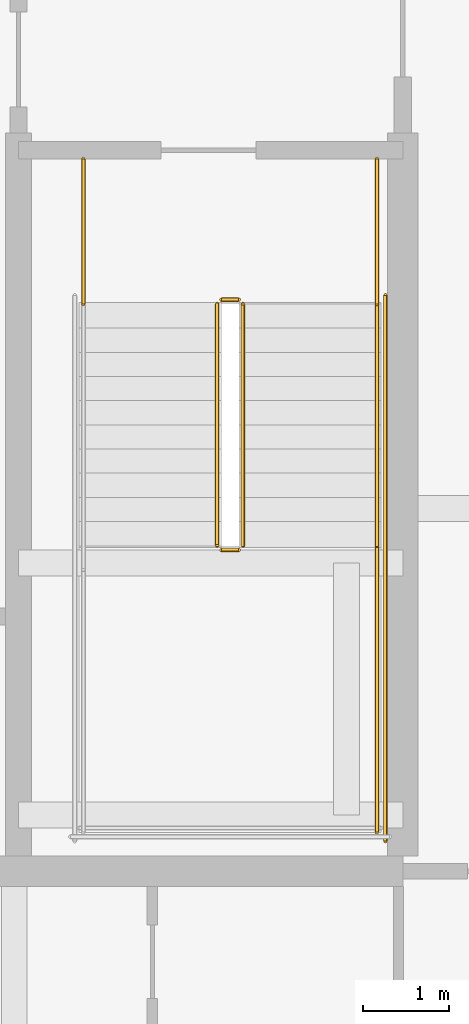
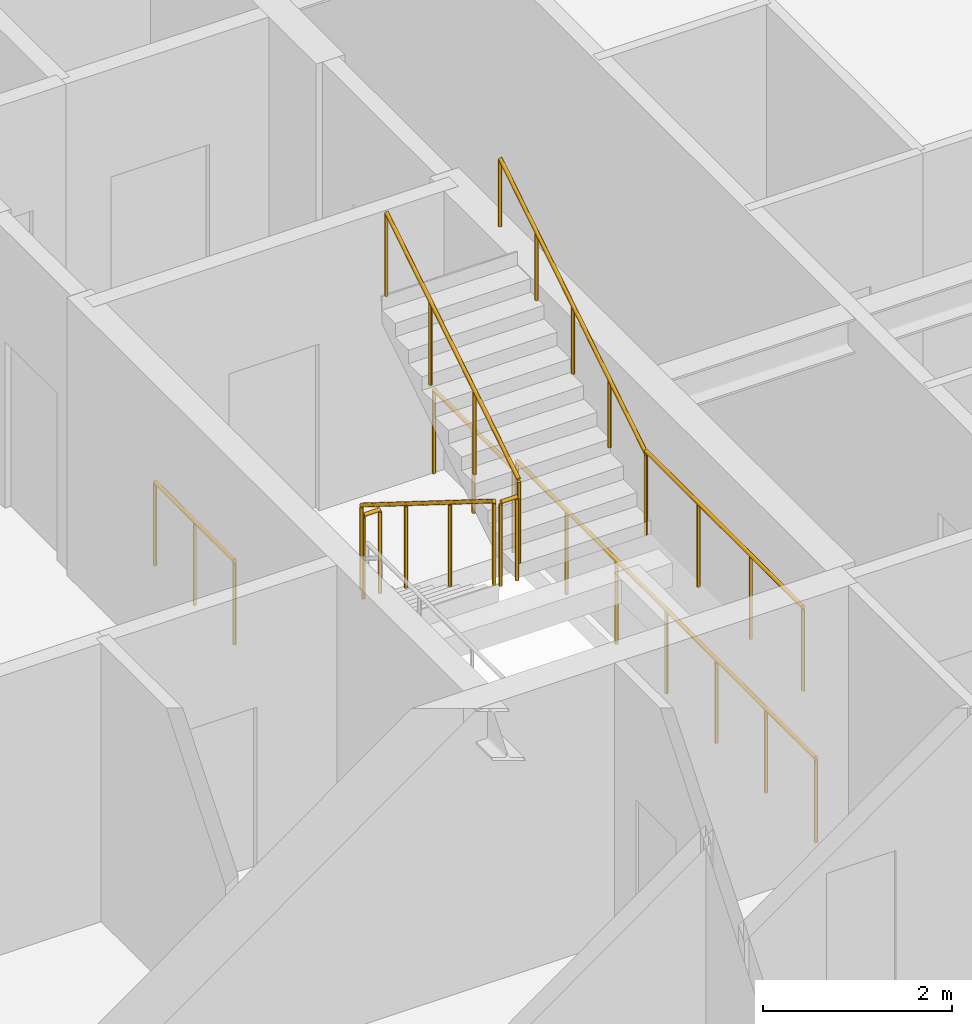
# One storey, part 34 of 35: 9 railings.
"""IFC4 building model written with IfcOpenShell, lengths in metres."""

from ifc_helpers import new_model, si_unit, direction, frame, origin, origin_2d, place, context, subcontext, project, spatial, circle, extrude, material, type_object, element, save


model = new_model("IFC4")

# Units and contexts
model_context = context("Model", 3, precision=1e-05, world=origin(), true_north=direction((0.0, 1.0)))
body_context = subcontext(model_context, "Body", "Model", "MODEL_VIEW")
ifc_project = project(units=[si_unit("LENGTHUNIT", "METRE"), si_unit("AREAUNIT", "SQUARE_METRE"), si_unit("VOLUMEUNIT", "CUBIC_METRE"), si_unit("PLANEANGLEUNIT", "RADIAN"), si_unit("MASSUNIT", "GRAM", prefix="KILO")], contexts=[model_context])

# Site, building, storey
site_placement = place(None, origin())
site = spatial("IfcSite", under=ifc_project, at=site_placement, CompositionType="ELEMENT")
building_placement = place(site_placement, origin())
building = spatial("IfcBuilding", under=site, at=building_placement, Name="Serunith Strait Residences", CompositionType="ELEMENT")
storey_placement = place(building_placement, frame((0.0, 0.0, 214.300048828125)))
storey = spatial("IfcBuildingStorey", under=building, at=storey_placement, Name="L53", CompositionType="ELEMENT", Elevation=214.300048828125)

# Railings
ifc_material = material(Name="Brushed stainless steel 316L", Category="steel")
railing_type_1 = type_object("IfcRailingType", Name="RLG-STAIR-GUARD", PredefinedType="BALUSTRADE", material=ifc_material)
railing_1_placement = place(storey_placement, frame((39.25, 23.3701171875, 0.175048828125)))
element("IfcRailing", 1, at=railing_1_placement, inside=storey, type_object=railing_type_1, Name="L53 ST-2 stair guard 1", PredefinedType="BALUSTRADE", context=body_context, shape_type="SweptSolid", body=[
    extrude(circle(Radius=0.02392578125, at=origin_2d()), frame((0.0, -0.001708984375, 1.0771484375), z_axis=(0.0, -0.848002457836, 0.529992293815), x_axis=(1.0, 0.0, 0.0)), (0.0, 0.0, 1.0), 3.2978515625),
    extrude(circle(Radius=0.02099609375, at=origin_2d()), origin(), (0.0, 0.0, 1.0), 1.050048828125),
    extrude(circle(Radius=0.02099609375, at=origin_2d()), frame((0.0, -0.933349609375, 0.583251953125)), (0.0, 0.0, 1.0), 1.050048828125),
    extrude(circle(Radius=0.02099609375, at=origin_2d()), frame((0.0, -1.86669921875, 1.166748046875)), (0.0, 0.0, 1.0), 1.050048828125),
    extrude(circle(Radius=0.02099609375, at=origin_2d()), frame((0.0, -2.800048828125, 1.75)), (0.0, 0.0, 1.0), 1.050048828125),
])
railing_2_placement = place(storey_placement, frame((39.300048828125, 20.52001953125, 1.925048828125)))
element("IfcRailing", 2, at=railing_2_placement, inside=storey, type_object=railing_type_1, Name="L53 ST-2 stair guard 2", PredefinedType="BALUSTRADE", context=body_context, shape_type="SweptSolid", body=[
    extrude(circle(Radius=0.02392578125, at=origin_2d()), frame((0.001953125, 0.0, 1.076171875), z_axis=(1.0, 0.0, 0.0), x_axis=(0.0, 1.0, 0.0)), (0.0, 0.0, 1.0), 0.196044921875),
    extrude(circle(Radius=0.02099609375, at=origin_2d()), origin(), (0.0, 0.0, 1.0), 1.050048828125),
    extrude(circle(Radius=0.02099609375, at=origin_2d()), frame((0.199951171875, 0.0, 0.0)), (0.0, 0.0, 1.0), 1.050048828125),
])
railing_3_placement = place(storey_placement, frame((41.10009765625, 20.570068359375, 1.925048828125)))
element("IfcRailing", 3, at=railing_3_placement, inside=storey, type_object=railing_type_1, Name="L53 ST-2 stair guard 4", PredefinedType="BALUSTRADE", context=body_context, shape_type="SweptSolid", body=[
    extrude(circle(Radius=0.02392578125, at=origin_2d()), frame((0.0, -0.001953125, 1.076171875), z_axis=(0.0, -1.0, 0.0), x_axis=(1.0, 0.0, 0.0)), (0.0, 0.0, 1.0), 3.316162109375),
    extrude(circle(Radius=0.02099609375, at=origin_2d()), origin(), (0.0, 0.0, 1.0), 1.050048828125),
    extrude(circle(Radius=0.02099609375, at=origin_2d()), frame((0.0, -1.106689453125, 0.0)), (0.0, 0.0, 1.0), 1.050048828125),
    extrude(circle(Radius=0.02099609375, at=origin_2d()), frame((0.0, -2.21337890625, 0.0)), (0.0, 0.0, 1.0), 1.050048828125),
    extrude(circle(Radius=0.02099609375, at=origin_2d()), frame((0.0, -3.320068359375, 0.0)), (0.0, 0.0, 1.0), 1.050048828125),
])
railing_4_placement = place(storey_placement, frame((39.550048828125, 20.570068359375, 2.099853515625)))
element("IfcRailing", 4, at=railing_4_placement, inside=storey, type_object=railing_type_1, Name="L53 ST-2 stair guard 6", PredefinedType="BALUSTRADE", context=body_context, shape_type="SweptSolid", body=[
    extrude(circle(Radius=0.02392578125, at=origin_2d()), frame((0.0, 0.001708984375, 1.0771484375), z_axis=(0.0, 0.848002457836, 0.529992293815), x_axis=(-1.0, 0.0, 0.0)), (0.0, 0.0, 1.0), 3.2978515625),
    extrude(circle(Radius=0.02099609375, at=origin_2d()), origin(), (0.0, 0.0, 1.0), 1.050048828125),
    extrude(circle(Radius=0.02099609375, at=origin_2d()), frame((0.0, 0.933349609375, 0.583251953125)), (0.0, 0.0, 1.0), 1.050048828125),
    extrude(circle(Radius=0.02099609375, at=origin_2d()), frame((0.0, 1.86669921875, 1.166748046875)), (0.0, 0.0, 1.0), 1.050048828125),
    extrude(circle(Radius=0.02099609375, at=origin_2d()), frame((0.0, 2.800048828125, 1.75)), (0.0, 0.0, 1.0), 1.050048828125),
])
railing_5_placement = place(storey_placement, frame((39.300048828125, 23.419921875, 0.0)))
element("IfcRailing", 5, at=railing_5_placement, inside=storey, type_object=railing_type_1, Name="L53 ST-2 stair guard 7", PredefinedType="BALUSTRADE", context=body_context, shape_type="SweptSolid", body=[
    extrude(circle(Radius=0.02392578125, at=origin_2d()), frame((0.001953125, 0.0, 1.076171875), z_axis=(1.0, 0.0, 0.0), x_axis=(0.0, 1.0, 0.0)), (0.0, 0.0, 1.0), 0.196044921875),
    extrude(circle(Radius=0.02099609375, at=origin_2d()), origin(), (0.0, 0.0, 1.0), 1.050048828125),
    extrude(circle(Radius=0.02099609375, at=origin_2d()), frame((0.199951171875, 0.0, 0.0)), (0.0, 0.0, 1.0), 1.050048828125),
])
for number, where, name in (
    (6, (37.699951171875, 25.050048828125, 0.0), "L53 ST-2 stair guard 8"),
    (7, (41.10009765625, 25.050048828125, 0.0), "L53 ST-2 stair guard 9"),
):
    element("IfcRailing", number, at=place(storey_placement, frame(where)), inside=storey, type_object=railing_type_1, Name=name, PredefinedType="BALUSTRADE", context=body_context, shape_type="SweptSolid", body=[
        extrude(circle(Radius=0.02392578125, at=origin_2d()), frame((0.0, -0.001953125, 1.076171875), z_axis=(0.0, -1.0, 0.0), x_axis=(1.0, 0.0, 0.0)), (0.0, 0.0, 1.0), 1.676025390625),
        extrude(circle(Radius=0.02099609375, at=origin_2d()), origin(), (0.0, 0.0, 1.0), 1.050048828125),
        extrude(circle(Radius=0.02099609375, at=origin_2d()), frame((0.0, -0.83984375, 0.0)), (0.0, 0.0, 1.0), 1.050048828125),
        extrude(circle(Radius=0.02099609375, at=origin_2d()), frame((0.0, -1.679931640625, 0.0)), (0.0, 0.0, 1.0), 1.050048828125),
    ])
railing_6_placement = place(storey_placement, frame((41.199951171875, 23.469970703125, 0.0)))
element("IfcRailing", 8, at=railing_6_placement, inside=storey, type_object=railing_type_1, Name="L53 ST-2 stair guard 11", PredefinedType="BALUSTRADE", context=body_context, shape_type="SweptSolid", body=[
    extrude(circle(Radius=0.02392578125, at=origin_2d()), frame((0.0, -0.001953125, 1.076171875), z_axis=(0.0, -1.0, 0.0), x_axis=(1.0, 0.0, 0.0)), (0.0, 0.0, 1.0), 6.316162109375),
    extrude(circle(Radius=0.02099609375, at=origin_2d()), origin(), (0.0, 0.0, 1.0), 1.050048828125),
    extrude(circle(Radius=0.02099609375, at=origin_2d()), frame((0.0, -1.05322265625, 0.0)), (0.0, 0.0, 1.0), 1.050048828125),
    extrude(circle(Radius=0.02099609375, at=origin_2d()), frame((0.0, -2.106689453125, 0.0)), (0.0, 0.0, 1.0), 1.050048828125),
    extrude(circle(Radius=0.02099609375, at=origin_2d()), frame((0.0, -3.16015625, 0.0)), (0.0, 0.0, 1.0), 1.050048828125),
    extrude(circle(Radius=0.02099609375, at=origin_2d()), frame((0.0, -4.21337890625, 0.0)), (0.0, 0.0, 1.0), 1.050048828125),
    extrude(circle(Radius=0.02099609375, at=origin_2d()), frame((0.0, -5.2666015625, 0.0)), (0.0, 0.0, 1.0), 1.050048828125),
    extrude(circle(Radius=0.02099609375, at=origin_2d()), frame((0.0, -6.320068359375, 0.0)), (0.0, 0.0, 1.0), 1.050048828125),
])
railing_type_2 = type_object("IfcRailingType", Name="RLG-STAIR-HR", PredefinedType="HANDRAIL", material=ifc_material)
railing_7_placement = place(storey_placement, frame((41.10009765625, 20.570068359375, 2.099853515625)))
element("IfcRailing", 9, at=railing_7_placement, inside=storey, type_object=railing_type_2, Name="L53 ST-2 stair handrail 2", PredefinedType="HANDRAIL", context=body_context, shape_type="SweptSolid", body=[
    extrude(circle(Radius=0.02392578125, at=origin_2d()), frame((0.0, 0.001708984375, 0.876953125), z_axis=(0.0, 0.847344832318, 0.531043063361), x_axis=(-1.0, 0.0, 0.0)), (0.0, 0.0, 1.0), 3.630615234375),
    extrude(circle(Radius=0.02099609375, at=origin_2d()), origin(), (0.0, 0.0, 1.0), 0.849853515625),
    extrude(circle(Radius=0.02099609375, at=origin_2d()), frame((0.0, 0.77001953125, 0.482421875)), (0.0, 0.0, 1.0), 0.849853515625),
    extrude(circle(Radius=0.02099609375, at=origin_2d()), frame((0.0, 1.5400390625, 0.965087890625)), (0.0, 0.0, 1.0), 0.849853515625),
    extrude(circle(Radius=0.02099609375, at=origin_2d()), frame((0.0, 2.309814453125, 1.44775390625)), (0.0, 0.0, 1.0), 0.849853515625),
    extrude(circle(Radius=0.02099609375, at=origin_2d()), frame((0.0, 3.079833984375, 1.93017578125)), (0.0, 0.0, 1.0), 0.849853515625),
])

save(model, "model.ifc")
